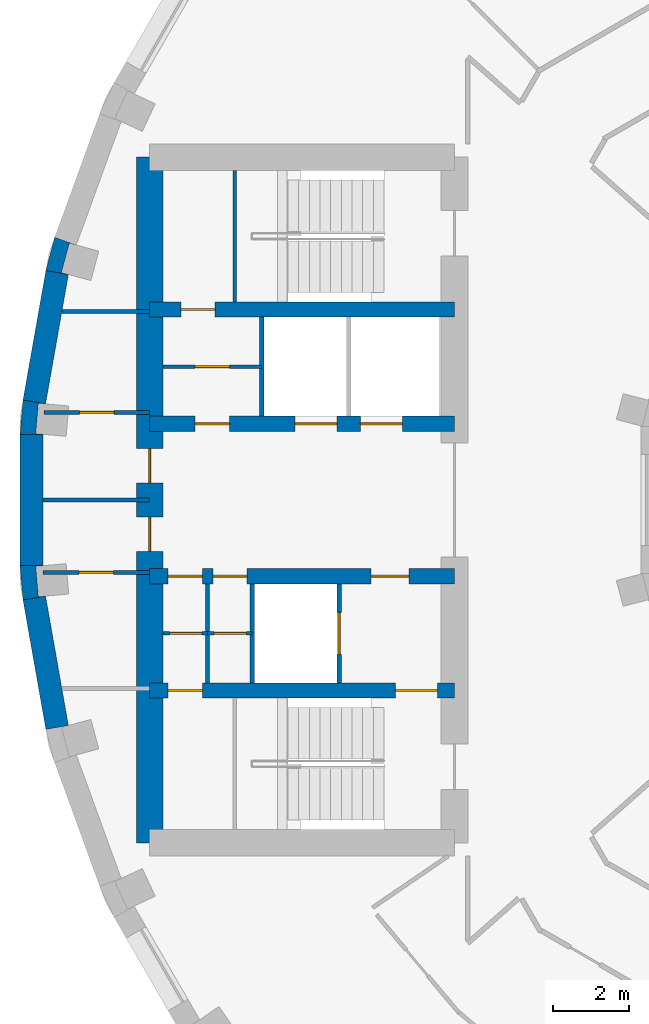
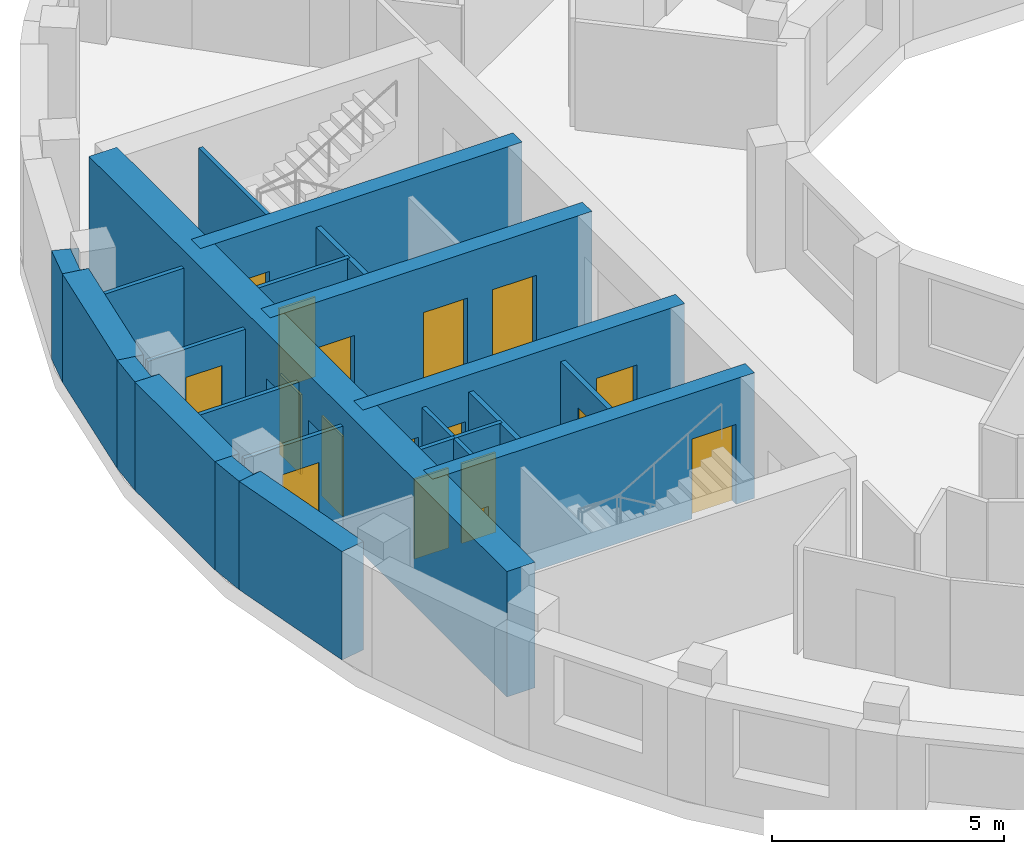
# One storey, part 7 of 15: 23 walls, 17 doors, 17 openings.
"""IFC4 building model written with IfcOpenShell, lengths in metres."""

from ifc_helpers import new_model, si_unit, direction, frame, frame_2d, origin, place, context, subcontext, project, spatial, polyline, rectangle, outline, extrude, material, layer, layer_set, type_object, element, fill, save


model = new_model("IFC4")

# Units and contexts
model_context = context("Model", 3, precision=1e-05, world=origin(), true_north=direction((0.0, 1.0)))
body_context = subcontext(model_context, "Body", "Model", "MODEL_VIEW")
ifc_project = project(units=[si_unit("LENGTHUNIT", "METRE"), si_unit("AREAUNIT", "SQUARE_METRE"), si_unit("VOLUMEUNIT", "CUBIC_METRE"), si_unit("PLANEANGLEUNIT", "RADIAN"), si_unit("MASSUNIT", "GRAM", prefix="KILO")], contexts=[model_context])

# Site, building, storey
site_placement = place(None, origin())
site = spatial("IfcSite", under=ifc_project, at=site_placement, CompositionType="ELEMENT")
building_placement = place(site_placement, origin())
building = spatial("IfcBuilding", under=site, at=building_placement, Name="Saqina Gate Tower", CompositionType="ELEMENT")
storey_placement = place(building_placement, frame((0.0, 0.0, 164.10009765625)))
storey = spatial("IfcBuildingStorey", under=building, at=storey_placement, Name="L46", CompositionType="ELEMENT", Elevation=164.10009765625)

# Walls
ifc_material_1 = material(Name="Brick masonry (buff)", Category="masonry")
wall_type_1 = type_object("IfcWallType", Name="BRICK PIER COPING BUFF", PredefinedType="SOLIDWALL", material=ifc_material_1)
wall_1_placement = place(storey_placement, origin())
element("IfcWall", 1, at=wall_1_placement, inside=storey, type_object=wall_type_1, Name="Pier cap L46 column 17", PredefinedType="SOLIDWALL", context=body_context, shape_type="SweptSolid", body=[
    extrude(outline(polyline([(-24.22705078125, 6.0234375), (-23.635986328125, 5.919189453125), (-23.81689453125, 5.967529296875), (-23.610107421875, 6.740478515625), (-23.428955078125, 6.69189453125), (-23.992919921875, 6.897216796875), (-24.22705078125, 6.0234375)])), origin(), (0.0, 0.0, 1.0), 2.849853515625),
])
wall_2_placement = place(storey_placement, origin())
element("IfcWall", 2, at=wall_2_placement, inside=storey, type_object=wall_type_1, Name="Pier cap L46 column 18", PredefinedType="SOLIDWALL", context=body_context, shape_type="SweptSolid", body=[
    extrude(outline(polyline([(-24.825927734375, 2.6259765625), (-24.90478515625, 1.724853515625), (-24.304931640625, 1.724853515625), (-24.491455078125, 1.7412109375), (-24.421630859375, 2.5380859375), (-24.235107421875, 2.521728515625), (-24.825927734375, 2.6259765625)])), origin(), (0.0, 0.0, 1.0), 2.849853515625),
])
wall_3_placement = place(storey_placement, origin())
element("IfcWall", 3, at=wall_3_placement, inside=storey, type_object=wall_type_1, Name="Pier cap L46 column 19", PredefinedType="SOLIDWALL", context=body_context, shape_type="SweptSolid", body=[
    extrude(outline(polyline([(-24.90478515625, -1.724853515625), (-24.825927734375, -2.6259765625), (-24.235107421875, -2.521728515625), (-24.421630859375, -2.5380859375), (-24.491455078125, -1.7412109375), (-24.304931640625, -1.724853515625), (-24.90478515625, -1.724853515625)])), origin(), (0.0, 0.0, 1.0), 2.849853515625),
])
ifc_material_2 = material(Name="Gypsum board on steel studs", Category="steel")
ifc_layer_1 = layer(ifc_material_2, 0.10009765625)
ifc_layer_set_1 = layer_set([ifc_layer_1], Name="CORE PARTITION")
wall_type_2 = type_object("IfcWallType", Name="CORE PARTITION", PredefinedType="PARTITIONING", material=ifc_layer_set_1)
wall_4_placement = place(storey_placement, frame((-21.5, 4.949951171875, 0.0), z_axis=(0.0, 0.0, 1.0), x_axis=(-1.0, 0.0, 0.0)))
element("IfcWall", 4, at=wall_4_placement, inside=storey, type_object=wall_type_2, Name="L46-CP-W01", PredefinedType="PARTITIONING", context=body_context, shape_type="SweptSolid", body=[
    extrude(rectangle(XDim=2.306884765625, YDim=0.10009765625, at=frame_2d((1.1533203125, 0.0))), origin(), (0.0, 0.0, 1.0), 2.849853515625),
])

# Wall, opening, door
wall_5_placement = place(storey_placement, frame((-21.5, 2.300048828125, 0.0), z_axis=(0.0, 0.0, 1.0), x_axis=(-1.0, 0.0, 0.0)))
wall_5 = element("IfcWall", 5, at=wall_5_placement, inside=storey, type_object=wall_type_2, Name="L46-CP-W02", PredefinedType="PARTITIONING", context=body_context, shape_type="SweptSolid", body=[
    extrude(rectangle(XDim=2.774169921875, YDim=0.10009765625, at=frame_2d((1.38720703125, 0.0))), origin(), (0.0, 0.0, 1.0), 2.849853515625),
])
opening_1_placement = place(wall_5_placement, frame((0.93701171875, 0.0, 0.0)))
opening_1 = element("IfcOpeningElement", 6, at=opening_1_placement, cuts=wall_5, Name="Opening G13-D112", PredefinedType="OPENING", context=body_context, shape_type="SweptSolid", body=[
    extrude(rectangle(XDim=0.89990234375, YDim=2.10009765625, at=frame_2d((0.449951171875, 1.050048828125))), frame((0.0, 0.06201171875, 0.0), z_axis=(0.0, -1.0, 0.0), x_axis=(1.0, 0.0, 0.0)), (0.0, 0.0, 1.0), 0.1240234375),
])
ifc_material_3 = material(Name="Steel-framed fire door leaf, EI 60", Category="steel")
door_type_1 = type_object("IfcDoorType", Name="SERVICE ROOM DOOR 900", OperationType="SINGLE_SWING_LEFT", PredefinedType="DOOR", material=ifc_material_3)
door_1_placement = place(opening_1_placement, frame((0.89990234375, 0.0, 0.0), z_axis=(0.0, 0.0, 1.0), x_axis=(-1.0, 0.0, 0.0)))
door_1 = element("IfcDoor", 7, at=door_1_placement, inside=storey, type_object=door_type_1, Name="L46-CD-W22", OperationType="SINGLE_SWING_RIGHT", OverallHeight=2.10009765625, OverallWidth=0.89990234375, PredefinedType="DOOR", context=body_context, shape_type="SweptSolid", body=[
    extrude(rectangle(XDim=0.89990234375, YDim=2.10009765625, at=frame_2d((0.449951171875, 1.050048828125))), frame((0.0, 0.02490234375, 0.0), z_axis=(0.0, -1.0, 0.0), x_axis=(1.0, 0.0, 0.0)), (0.0, 0.0, 1.0), 0.050048828125),
])
fill(opening_1, door_1)

wall_6_placement = place(storey_placement, frame((-21.5, -1.89990234375, 0.0), z_axis=(0.0, 0.0, 1.0), x_axis=(-1.0, 0.0, 0.0)))
wall_6 = element("IfcWall", 8, at=wall_6_placement, inside=storey, type_object=wall_type_2, Name="L46-CP-W04", PredefinedType="PARTITIONING", context=body_context, shape_type="SweptSolid", body=[
    extrude(rectangle(XDim=2.804931640625, YDim=0.10009765625, at=frame_2d((1.40234375, 0.0))), origin(), (0.0, 0.0, 1.0), 2.849853515625),
])
opening_2_placement = place(wall_6_placement, frame((0.952392578125, 0.0, 0.0)))
opening_2 = element("IfcOpeningElement", 9, at=opening_2_placement, cuts=wall_6, Name="Opening G13-D114", PredefinedType="OPENING", context=body_context, shape_type="SweptSolid", body=[
    extrude(rectangle(XDim=0.89990234375, YDim=2.10009765625, at=frame_2d((0.449951171875, 1.050048828125))), frame((0.0, 0.06201171875, 0.0), z_axis=(0.0, -1.0, 0.0), x_axis=(1.0, 0.0, 0.0)), (0.0, 0.0, 1.0), 0.1240234375),
])
door_2_placement = place(opening_2_placement, origin())
door_2 = element("IfcDoor", 10, at=door_2_placement, inside=storey, type_object=door_type_1, Name="L46-CD-W24", OperationType="SINGLE_SWING_LEFT", OverallHeight=2.10009765625, OverallWidth=0.89990234375, PredefinedType="DOOR", context=body_context, shape_type="SweptSolid", body=[
    extrude(rectangle(XDim=0.89990234375, YDim=2.10009765625, at=frame_2d((0.449951171875, 1.050048828125))), frame((0.0, 0.02490234375, 0.0), z_axis=(0.0, -1.0, 0.0), x_axis=(1.0, 0.0, 0.0)), (0.0, 0.0, 1.0), 0.050048828125),
])
fill(opening_2, door_2)

# Walls
wall_7_placement = place(storey_placement, frame((-21.5, 0.0, 0.0), z_axis=(0.0, 0.0, 1.0), x_axis=(-1.0, 0.0, 0.0)))
element("IfcWall", 11, at=wall_7_placement, inside=storey, type_object=wall_type_2, Name="L46-CP-W05", PredefinedType="PARTITIONING", context=body_context, shape_type="SweptSolid", body=[
    extrude(rectangle(XDim=2.804931640625, YDim=0.10009765625, at=frame_2d((1.40234375, 0.0))), origin(), (0.0, 0.0, 1.0), 2.849853515625),
])
wall_8_placement = place(storey_placement, frame((-19.97998046875, -4.800048828125, 0.0), z_axis=(0.0, 0.0, 1.0), x_axis=(0.0, 1.0, 0.0)))
element("IfcWall", 12, at=wall_8_placement, inside=storey, type_object=wall_type_2, Name="L46-CP-W10", PredefinedType="PARTITIONING", context=body_context, shape_type="SweptSolid", body=[
    extrude(rectangle(XDim=2.60009765625, YDim=0.10009765625, at=frame_2d((1.300048828125, 0.0))), origin(), (0.0, 0.0, 1.0), 2.849853515625),
])

# Wall, opening, door
wall_9_placement = place(storey_placement, frame((-18.56005859375, 3.5, 0.0), z_axis=(0.0, 0.0, 1.0), x_axis=(-1.0, 0.0, 0.0)))
wall_9 = element("IfcWall", 13, at=wall_9_placement, inside=storey, type_object=wall_type_2, Name="L46-CP-W11", PredefinedType="PARTITIONING", context=body_context, shape_type="SweptSolid", body=[
    extrude(rectangle(XDim=2.58984375, YDim=0.10009765625, at=frame_2d((1.294921875, 0.0))), origin(), (0.0, 0.0, 1.0), 2.849853515625),
])
opening_3_placement = place(wall_9_placement, frame((0.844970703125, 0.0, 0.0)))
opening_3 = element("IfcOpeningElement", 14, at=opening_3_placement, cuts=wall_9, Name="Opening G13-D129", PredefinedType="OPENING", context=body_context, shape_type="SweptSolid", body=[
    extrude(rectangle(XDim=0.89990234375, YDim=2.10009765625, at=frame_2d((0.449951171875, 1.050048828125))), frame((0.0, 0.06201171875, 0.0), z_axis=(0.0, -1.0, 0.0), x_axis=(1.0, 0.0, 0.0)), (0.0, 0.0, 1.0), 0.1240234375),
])
door_3_placement = place(opening_3_placement, frame((0.89990234375, 0.0, 0.0), z_axis=(0.0, 0.0, 1.0), x_axis=(-1.0, 0.0, 0.0)))
door_3 = element("IfcDoor", 15, at=door_3_placement, inside=storey, type_object=door_type_1, Name="L46-CD-W26", OperationType="SINGLE_SWING_LEFT", OverallHeight=2.10009765625, OverallWidth=0.89990234375, PredefinedType="DOOR", context=body_context, shape_type="SweptSolid", body=[
    extrude(rectangle(XDim=0.89990234375, YDim=2.10009765625, at=frame_2d((0.449951171875, 1.050048828125))), frame((0.0, 0.02490234375, 0.0), z_axis=(0.0, -1.0, 0.0), x_axis=(1.0, 0.0, 0.0)), (0.0, 0.0, 1.0), 0.050048828125),
])
fill(opening_3, door_3)

wall_10_placement = place(storey_placement, frame((-18.81005859375, -3.5, 0.0), z_axis=(0.0, 0.0, 1.0), x_axis=(-1.0, 0.0, 0.0)))
wall_10 = element("IfcWall", 16, at=wall_10_placement, inside=storey, type_object=wall_type_2, Name="L46-CP-W12", PredefinedType="PARTITIONING", context=body_context, shape_type="SweptSolid", body=[
    extrude(rectangle(XDim=1.169921875, YDim=0.10009765625, at=frame_2d((0.5849609375, 0.0))), origin(), (0.0, 0.0, 1.0), 2.849853515625),
])
opening_4_placement = place(wall_10_placement, frame((0.14990234375, 0.0, 0.0)))
opening_4 = element("IfcOpeningElement", 17, at=opening_4_placement, cuts=wall_10, Name="Opening G13-D118", PredefinedType="OPENING", context=body_context, shape_type="SweptSolid", body=[
    extrude(rectangle(XDim=0.85009765625, YDim=2.10009765625, at=frame_2d((0.425048828125, 1.050048828125))), frame((0.0, 0.06201171875, 0.0), z_axis=(0.0, -1.0, 0.0), x_axis=(1.0, 0.0, 0.0)), (0.0, 0.0, 1.0), 0.1240234375),
])
ifc_material_4 = material(Name="Steel-framed fire door leaf, EI 60", Category="steel")
door_type_2 = type_object("IfcDoorType", Name="SERVICE ROOM DOOR 850", OperationType="SINGLE_SWING_LEFT", PredefinedType="DOOR", material=ifc_material_4)
door_4_placement = place(opening_4_placement, origin())
door_4 = element("IfcDoor", 18, at=door_4_placement, inside=storey, type_object=door_type_2, Name="L46-CD-W28", OperationType="SINGLE_SWING_LEFT", OverallHeight=2.10009765625, OverallWidth=0.85009765625, PredefinedType="DOOR", context=body_context, shape_type="SweptSolid", body=[
    extrude(rectangle(XDim=0.85009765625, YDim=2.10009765625, at=frame_2d((0.425048828125, 1.050048828125))), frame((0.0, 0.02490234375, 0.0), z_axis=(0.0, -1.0, 0.0), x_axis=(1.0, 0.0, 0.0)), (0.0, 0.0, 1.0), 0.050048828125),
])
fill(opening_4, door_4)

wall_11_placement = place(storey_placement, frame((-19.97998046875, -3.5, 0.0), z_axis=(0.0, 0.0, 1.0), x_axis=(-1.0, 0.0, 0.0)))
wall_11 = element("IfcWall", 19, at=wall_11_placement, inside=storey, type_object=wall_type_2, Name="L46-CP-W13", PredefinedType="PARTITIONING", context=body_context, shape_type="SweptSolid", body=[
    extrude(rectangle(XDim=1.169921875, YDim=0.10009765625, at=frame_2d((0.5849609375, 0.0))), origin(), (0.0, 0.0, 1.0), 2.849853515625),
])
opening_5_placement = place(wall_11_placement, frame((0.14990234375, 0.0, 0.0)))
opening_5 = element("IfcOpeningElement", 20, at=opening_5_placement, cuts=wall_11, Name="Opening G13-D119", PredefinedType="OPENING", context=body_context, shape_type="SweptSolid", body=[
    extrude(rectangle(XDim=0.85009765625, YDim=2.10009765625, at=frame_2d((0.425048828125, 1.050048828125))), frame((0.0, 0.06201171875, 0.0), z_axis=(0.0, -1.0, 0.0), x_axis=(1.0, 0.0, 0.0)), (0.0, 0.0, 1.0), 0.1240234375),
])
door_5_placement = place(opening_5_placement, origin())
door_5 = element("IfcDoor", 21, at=door_5_placement, inside=storey, type_object=door_type_2, Name="L46-CD-W29", OperationType="SINGLE_SWING_RIGHT", OverallHeight=2.10009765625, OverallWidth=0.85009765625, PredefinedType="DOOR", context=body_context, shape_type="SweptSolid", body=[
    extrude(rectangle(XDim=0.85009765625, YDim=2.10009765625, at=frame_2d((0.425048828125, 1.050048828125))), frame((0.0, 0.02490234375, 0.0), z_axis=(0.0, -1.0, 0.0), x_axis=(1.0, 0.0, 0.0)), (0.0, 0.0, 1.0), 0.050048828125),
])
fill(opening_5, door_5)

# Walls
ifc_material_5 = material(Name="Glazed ceramic tile", Category="ceramic")
ifc_layer_2 = layer(ifc_material_5, 0.60009765625)
ifc_layer_set_2 = layer_set([ifc_layer_2], Name="FW-TILE")
wall_type_3 = type_object("IfcWallType", Name="FW-TILE", PredefinedType="SOLIDWALL", material=ifc_layer_set_2)
for number, where, z_axis, x_axis, name in (
    (22, (-23.931640625, 5.97119140625, 0.0), (0.0, 0.0, 1.0), (-0.173607684551, -0.984814892183, 0.0), "Facade wall L46 facet 17"),
    (23, (-24.530517578125, -2.573974609375, 0.0), (0.0, 0.0, 1.0), (0.173607684551, -0.984814892183, 0.0), "Facade wall L46 facet 19"),
):
    element("IfcWall", number, at=place(storey_placement, frame(where, z_axis=z_axis, x_axis=x_axis)), inside=storey, type_object=wall_type_3, Name=name, PredefinedType="SOLIDWALL", context=body_context, shape_type="SweptSolid", body=[
        extrude(rectangle(XDim=3.44970703125, YDim=0.60009765625, at=frame_2d((1.724853515625, 0.0))), origin(), (0.0, 0.0, 1.0), 2.849853515625),
    ])
ifc_material_6 = material(Name="Glazed ceramic tile (white)", Category="ceramic")
ifc_layer_3 = layer(ifc_material_6, 0.60009765625)
ifc_layer_set_3 = layer_set([ifc_layer_3], Name="FW-TILE-WH")
wall_type_4 = type_object("IfcWallType", Name="FW-TILE-WH", PredefinedType="SOLIDWALL", material=ifc_layer_set_3)
wall_12_placement = place(storey_placement, frame((-24.60498046875, 1.724853515625, 0.0), z_axis=(0.0, 0.0, 1.0), x_axis=(0.0, -1.0, 0.0)))
element("IfcWall", 24, at=wall_12_placement, inside=storey, type_object=wall_type_4, Name="Facade wall L46 facet 18", PredefinedType="SOLIDWALL", context=body_context, shape_type="SweptSolid", body=[
    extrude(rectangle(XDim=3.44970703125, YDim=0.60009765625, at=frame_2d((1.724853515625, 0.0))), origin(), (0.0, 0.0, 1.0), 2.849853515625),
])
ifc_material_7 = material(Name="Autoclaved aerated concrete block", Category="concrete")
ifc_layer_4 = layer(ifc_material_7, 0.1201171875)
ifc_layer_set_4 = layer_set([ifc_layer_4], Name="SHAFT PARTITION")
wall_type_5 = type_object("IfcWallType", Name="SHAFT PARTITION", PredefinedType="PARTITIONING", material=ifc_layer_set_4)
wall_13_placement = place(storey_placement, frame((-18.56005859375, 2.199951171875, 0.0), z_axis=(0.0, 0.0, 1.0), x_axis=(0.0, 1.0, 0.0)))
element("IfcWall", 25, at=wall_13_placement, inside=storey, type_object=wall_type_5, Name="L46-CP-W07", PredefinedType="PARTITIONING", context=body_context, shape_type="SweptSolid", body=[
    extrude(rectangle(XDim=2.60009765625, YDim=0.1201171875, at=frame_2d((1.300048828125, 0.0))), origin(), (0.0, 0.0, 1.0), 2.849853515625),
])

# Wall, opening, door
wall_14_placement = place(storey_placement, frame((-16.530029296875, -4.800048828125, 0.0), z_axis=(0.0, 0.0, 1.0), x_axis=(0.0, 1.0, 0.0)))
wall_14 = element("IfcWall", 26, at=wall_14_placement, inside=storey, type_object=wall_type_5, Name="L46-CP-W08", PredefinedType="PARTITIONING", context=body_context, shape_type="SweptSolid", body=[
    extrude(rectangle(XDim=2.60009765625, YDim=0.1201171875, at=frame_2d((1.300048828125, 0.0))), origin(), (0.0, 0.0, 1.0), 2.849853515625),
])
opening_6_placement = place(wall_14_placement, frame((0.75, 0.0, 0.0)))
opening_6 = element("IfcOpeningElement", 27, at=opening_6_placement, cuts=wall_14, Name="Opening G13-LD6", PredefinedType="OPENING", context=body_context, shape_type="SweptSolid", body=[
    extrude(rectangle(XDim=1.10009765625, YDim=2.10009765625, at=frame_2d((0.550048828125, 1.050048828125))), frame((0.0, 0.072021484375, 0.0), z_axis=(0.0, -1.0, 0.0), x_axis=(1.0, 0.0, 0.0)), (0.0, 0.0, 1.0), 0.14404296875),
])
ifc_material_8 = material(Name="Stainless steel", Category="steel")
door_type_3 = type_object("IfcDoorType", Name="LANDING DOOR", OperationType="DOUBLE_DOOR_SLIDING", PredefinedType="DOOR", material=ifc_material_8)
door_6_placement = place(opening_6_placement, origin())
door_6 = element("IfcDoor", 28, at=door_6_placement, inside=storey, type_object=door_type_3, Name="LANDING DOOR FF2", OperationType="DOUBLE_DOOR_SLIDING", OverallHeight=2.10009765625, OverallWidth=1.10009765625, PredefinedType="DOOR", context=body_context, shape_type="SweptSolid", body=[
    extrude(rectangle(XDim=1.10009765625, YDim=2.10009765625, at=frame_2d((0.550048828125, 1.050048828125))), frame((0.0, 0.02490234375, 0.0), z_axis=(0.0, -1.0, 0.0), x_axis=(1.0, 0.0, 0.0)), (0.0, 0.0, 1.0), 0.050048828125),
])
fill(opening_6, door_6)

# Walls
wall_15_placement = place(storey_placement, frame((-18.81005859375, -4.800048828125, 0.0), z_axis=(0.0, 0.0, 1.0), x_axis=(0.0, 1.0, 0.0)))
element("IfcWall", 29, at=wall_15_placement, inside=storey, type_object=wall_type_5, Name="L46-CP-W09", PredefinedType="PARTITIONING", context=body_context, shape_type="SweptSolid", body=[
    extrude(rectangle(XDim=2.60009765625, YDim=0.1201171875, at=frame_2d((1.300048828125, 0.0))), origin(), (0.0, 0.0, 1.0), 2.849853515625),
])
ifc_material_9 = material(Name="Autoclaved aerated concrete block", Category="concrete")
ifc_layer_5 = layer(ifc_material_9, 0.10009765625)
ifc_layer_set_5 = layer_set([ifc_layer_5], Name="STAIR ENCLOSURE WALL")
wall_type_6 = type_object("IfcWallType", Name="STAIR ENCLOSURE WALL", PredefinedType="PARTITIONING", material=ifc_layer_set_5)
wall_16_placement = place(storey_placement, frame((-19.27001953125, 5.199951171875, 0.0), z_axis=(0.0, 0.0, 1.0), x_axis=(0.0, 1.0, 0.0)))
element("IfcWall", 30, at=wall_16_placement, inside=storey, type_object=wall_type_6, Name="L46-CP-W14", PredefinedType="PARTITIONING", context=body_context, shape_type="SweptSolid", body=[
    extrude(rectangle(XDim=3.449951171875, YDim=0.10009765625, at=frame_2d((1.72509765625, 0.0))), origin(), (0.0, 0.0, 1.0), 2.849853515625),
])

# Wall, opening, door
ifc_material_10 = material(Name="Concrete C60/75", Category="concrete")
ifc_layer_6 = layer(ifc_material_10, 0.39990234375)
ifc_layer_set_6 = layer_set([ifc_layer_6], Name="Concrete C60/75")
wall_type_7 = type_object("IfcWallType", Name="STR-CORE WALL-C-I", PredefinedType="SHEAR", material=ifc_layer_set_6)
wall_17_placement = place(storey_placement, frame((-13.5, 5.0, 0.0), z_axis=(0.0, 0.0, 1.0), x_axis=(-1.0, 0.0, 0.0)))
wall_17 = element("IfcWall", 31, at=wall_17_placement, inside=storey, type_object=wall_type_7, Name="CORE WALL L46 W-X1", PredefinedType="SHEAR", context=body_context, shape_type="SweptSolid", body=[
    extrude(rectangle(XDim=8.0, YDim=0.39990234375, at=frame_2d((4.0, 0.0))), origin(), (0.0, 0.0, 1.0), 3.2998046875),
])
opening_7_placement = place(wall_17_placement, frame((6.284912109375, 0.0, 0.0)))
opening_7 = element("IfcOpeningElement", 32, at=opening_7_placement, cuts=wall_17, Name="Opening G13-D130", PredefinedType="OPENING", context=body_context, shape_type="SweptSolid", body=[
    extrude(rectangle(XDim=0.89990234375, YDim=2.10009765625, at=frame_2d((0.449951171875, 1.050048828125))), frame((0.0, 0.2119140625, 0.0), z_axis=(0.0, -1.0, 0.0), x_axis=(1.0, 0.0, 0.0)), (0.0, 0.0, 1.0), 0.423828125),
])
door_7_placement = place(opening_7_placement, frame((0.89990234375, 0.0, 0.0), z_axis=(0.0, 0.0, 1.0), x_axis=(-1.0, 0.0, 0.0)))
door_7 = element("IfcDoor", 33, at=door_7_placement, inside=storey, type_object=door_type_1, Name="L46-CD-W27", OperationType="SINGLE_SWING_LEFT", OverallHeight=2.10009765625, OverallWidth=0.89990234375, PredefinedType="DOOR", context=body_context, shape_type="SweptSolid", body=[
    extrude(rectangle(XDim=0.89990234375, YDim=2.10009765625, at=frame_2d((0.449951171875, 1.050048828125))), frame((0.0, 0.02490234375, 0.0), z_axis=(0.0, -1.0, 0.0), x_axis=(1.0, 0.0, 0.0)), (0.0, 0.0, 1.0), 0.050048828125),
])
fill(opening_7, door_7)

# Wall, openings, doors
wall_18_placement = place(storey_placement, frame((-13.5, -5.0, 0.0), z_axis=(0.0, 0.0, 1.0), x_axis=(-1.0, 0.0, 0.0)))
wall_18 = element("IfcWall", 34, at=wall_18_placement, inside=storey, type_object=wall_type_7, Name="CORE WALL L46 W-X2", PredefinedType="SHEAR", context=body_context, shape_type="SweptSolid", body=[
    extrude(rectangle(XDim=8.0, YDim=0.39990234375, at=frame_2d((4.0, 0.0))), origin(), (0.0, 0.0, 1.0), 3.2998046875),
])
opening_8_placement = place(wall_18_placement, frame((6.614990234375, 0.0, 0.0)))
opening_8 = element("IfcOpeningElement", 35, at=opening_8_placement, cuts=wall_18, Name="Opening G13-D131", PredefinedType="OPENING", context=body_context, shape_type="SweptSolid", body=[
    extrude(rectangle(XDim=0.89990234375, YDim=2.10009765625, at=frame_2d((0.449951171875, 1.050048828125))), frame((0.0, 0.2119140625, 0.0), z_axis=(0.0, -1.0, 0.0), x_axis=(1.0, 0.0, 0.0)), (0.0, 0.0, 1.0), 0.423828125),
])
opening_9_placement = place(wall_18_placement, frame((0.449951171875, 0.0, 0.0)))
opening_9 = element("IfcOpeningElement", 36, at=opening_9_placement, cuts=wall_18, Name="Opening G13-D120", PredefinedType="OPENING", context=body_context, shape_type="SweptSolid", body=[
    extrude(rectangle(XDim=1.10009765625, YDim=2.10009765625, at=frame_2d((0.550048828125, 1.050048828125))), frame((0.0, 0.2119140625, 0.0), z_axis=(0.0, -1.0, 0.0), x_axis=(1.0, 0.0, 0.0)), (0.0, 0.0, 1.0), 0.423828125),
])
ifc_material_11 = material(Name="Steel", Category="steel")
door_type_4 = type_object("IfcDoorType", Name="FIRE LOBBY DOOR EI 60 WIDE", OperationType="SINGLE_SWING_LEFT", PredefinedType="DOOR", material=ifc_material_11)
door_8_placement = place(opening_9_placement, origin())
door_8 = element("IfcDoor", 37, at=door_8_placement, inside=storey, type_object=door_type_4, Name="L46-CD-W31", OperationType="SINGLE_SWING_LEFT", OverallHeight=2.10009765625, OverallWidth=1.10009765625, PredefinedType="DOOR", context=body_context, shape_type="SweptSolid", body=[
    extrude(rectangle(XDim=1.10009765625, YDim=2.10009765625, at=frame_2d((0.550048828125, 1.050048828125))), frame((0.0, 0.02490234375, 0.0), z_axis=(0.0, -1.0, 0.0), x_axis=(1.0, 0.0, 0.0)), (0.0, 0.0, 1.0), 0.050048828125),
])
fill(opening_9, door_8)
door_9_placement = place(opening_8_placement, origin())
door_9 = element("IfcDoor", 38, at=door_9_placement, inside=storey, type_object=door_type_1, Name="L46-CD-W30", OperationType="SINGLE_SWING_RIGHT", OverallHeight=2.10009765625, OverallWidth=0.89990234375, PredefinedType="DOOR", context=body_context, shape_type="SweptSolid", body=[
    extrude(rectangle(XDim=0.89990234375, YDim=2.10009765625, at=frame_2d((0.449951171875, 1.050048828125))), frame((0.0, 0.02490234375, 0.0), z_axis=(0.0, -1.0, 0.0), x_axis=(1.0, 0.0, 0.0)), (0.0, 0.0, 1.0), 0.050048828125),
])
fill(opening_8, door_9)

wall_19_placement = place(storey_placement, frame((-13.5, 2.0, 0.0), z_axis=(0.0, 0.0, 1.0), x_axis=(-1.0, 0.0, 0.0)))
wall_19 = element("IfcWall", 39, at=wall_19_placement, inside=storey, type_object=wall_type_7, Name="CORE WALL L46 W-L1", PredefinedType="SHEAR", context=body_context, shape_type="SweptSolid", body=[
    extrude(rectangle(XDim=8.0, YDim=0.39990234375, at=frame_2d((4.0, 0.0))), origin(), (0.0, 0.0, 1.0), 3.2998046875),
])
opening_10_placement = place(wall_19_placement, frame((1.3701171875, 0.0, 0.0)))
opening_10 = element("IfcOpeningElement", 40, at=opening_10_placement, cuts=wall_19, Name="Opening G13-LD4", PredefinedType="OPENING", context=body_context, shape_type="SweptSolid", body=[
    extrude(rectangle(XDim=1.10009765625, YDim=2.10009765625, at=frame_2d((0.550048828125, 1.050048828125))), frame((0.0, 0.2119140625, 0.0), z_axis=(0.0, -1.0, 0.0), x_axis=(1.0, 0.0, 0.0)), (0.0, 0.0, 1.0), 0.423828125),
])
opening_11_placement = place(wall_19_placement, frame((3.090087890625, 0.0, 0.0)))
opening_11 = element("IfcOpeningElement", 41, at=opening_11_placement, cuts=wall_19, Name="Opening G13-LD5", PredefinedType="OPENING", context=body_context, shape_type="SweptSolid", body=[
    extrude(rectangle(XDim=1.10009765625, YDim=2.10009765625, at=frame_2d((0.550048828125, 1.050048828125))), frame((0.0, 0.2119140625, 0.0), z_axis=(0.0, -1.0, 0.0), x_axis=(1.0, 0.0, 0.0)), (0.0, 0.0, 1.0), 0.423828125),
])
opening_12_placement = place(wall_19_placement, frame((5.905029296875, 0.0, 0.0)))
opening_12 = element("IfcOpeningElement", 42, at=opening_12_placement, cuts=wall_19, Name="Opening G13-D128", PredefinedType="OPENING", context=body_context, shape_type="SweptSolid", body=[
    extrude(rectangle(XDim=0.89990234375, YDim=2.10009765625, at=frame_2d((0.449951171875, 1.050048828125))), frame((0.0, 0.2119140625, 0.0), z_axis=(0.0, -1.0, 0.0), x_axis=(1.0, 0.0, 0.0)), (0.0, 0.0, 1.0), 0.423828125),
])
door_10_placement = place(opening_10_placement, origin())
door_10 = element("IfcDoor", 43, at=door_10_placement, inside=storey, type_object=door_type_3, Name="LANDING DOOR HR3", OperationType="DOUBLE_DOOR_SLIDING", OverallHeight=2.10009765625, OverallWidth=1.10009765625, PredefinedType="DOOR", context=body_context, shape_type="SweptSolid", body=[
    extrude(rectangle(XDim=1.10009765625, YDim=2.10009765625, at=frame_2d((0.550048828125, 1.050048828125))), frame((0.0, 0.02490234375, 0.0), z_axis=(0.0, -1.0, 0.0), x_axis=(1.0, 0.0, 0.0)), (0.0, 0.0, 1.0), 0.050048828125),
])
fill(opening_10, door_10)
door_11_placement = place(opening_11_placement, origin())
door_11 = element("IfcDoor", 44, at=door_11_placement, inside=storey, type_object=door_type_3, Name="LANDING DOOR HR4", OperationType="DOUBLE_DOOR_SLIDING", OverallHeight=2.10009765625, OverallWidth=1.10009765625, PredefinedType="DOOR", context=body_context, shape_type="SweptSolid", body=[
    extrude(rectangle(XDim=1.10009765625, YDim=2.10009765625, at=frame_2d((0.550048828125, 1.050048828125))), frame((0.0, 0.02490234375, 0.0), z_axis=(0.0, -1.0, 0.0), x_axis=(1.0, 0.0, 0.0)), (0.0, 0.0, 1.0), 0.050048828125),
])
fill(opening_11, door_11)
door_12_placement = place(opening_12_placement, frame((0.89990234375, 0.0, 0.0), z_axis=(0.0, 0.0, 1.0), x_axis=(-1.0, 0.0, 0.0)))
door_12 = element("IfcDoor", 45, at=door_12_placement, inside=storey, type_object=door_type_1, Name="L46-CD-W18", OperationType="SINGLE_SWING_LEFT", OverallHeight=2.10009765625, OverallWidth=0.89990234375, PredefinedType="DOOR", context=body_context, shape_type="SweptSolid", body=[
    extrude(rectangle(XDim=0.89990234375, YDim=2.10009765625, at=frame_2d((0.449951171875, 1.050048828125))), frame((0.0, 0.02490234375, 0.0), z_axis=(0.0, -1.0, 0.0), x_axis=(1.0, 0.0, 0.0)), (0.0, 0.0, 1.0), 0.050048828125),
])
fill(opening_12, door_12)

wall_20_placement = place(storey_placement, frame((-13.5, -2.0, 0.0), z_axis=(0.0, 0.0, 1.0), x_axis=(-1.0, 0.0, 0.0)))
wall_20 = element("IfcWall", 46, at=wall_20_placement, inside=storey, type_object=wall_type_7, Name="CORE WALL L46 W-L2", PredefinedType="SHEAR", context=body_context, shape_type="SweptSolid", body=[
    extrude(rectangle(XDim=8.0, YDim=0.39990234375, at=frame_2d((4.0, 0.0))), origin(), (0.0, 0.0, 1.0), 3.2998046875),
])
opening_13_placement = place(wall_20_placement, frame((1.18994140625, 0.0, 0.0)))
opening_13 = element("IfcOpeningElement", 47, at=opening_13_placement, cuts=wall_20, Name="Opening G13-D109", PredefinedType="OPENING", context=body_context, shape_type="SweptSolid", body=[
    extrude(rectangle(XDim=1.0, YDim=2.10009765625, at=frame_2d((0.5, 1.050048828125))), frame((0.0, 0.2119140625, 0.0), z_axis=(0.0, -1.0, 0.0), x_axis=(1.0, 0.0, 0.0)), (0.0, 0.0, 1.0), 0.423828125),
])
opening_14_placement = place(wall_20_placement, frame((5.445068359375, 0.0, 0.0)))
opening_14 = element("IfcOpeningElement", 48, at=opening_14_placement, cuts=wall_20, Name="Opening G13-D110", PredefinedType="OPENING", context=body_context, shape_type="SweptSolid", body=[
    extrude(rectangle(XDim=0.89990234375, YDim=2.10009765625, at=frame_2d((0.449951171875, 1.050048828125))), frame((0.0, 0.2119140625, 0.0), z_axis=(0.0, -1.0, 0.0), x_axis=(1.0, 0.0, 0.0)), (0.0, 0.0, 1.0), 0.423828125),
])
opening_15_placement = place(wall_20_placement, frame((6.614990234375, 0.0, 0.0)))
opening_15 = element("IfcOpeningElement", 49, at=opening_15_placement, cuts=wall_20, Name="Opening G13-D111", PredefinedType="OPENING", context=body_context, shape_type="SweptSolid", body=[
    extrude(rectangle(XDim=0.89990234375, YDim=2.10009765625, at=frame_2d((0.449951171875, 1.050048828125))), frame((0.0, 0.2119140625, 0.0), z_axis=(0.0, -1.0, 0.0), x_axis=(1.0, 0.0, 0.0)), (0.0, 0.0, 1.0), 0.423828125),
])
ifc_material_12 = material(Name="Steel", Category="steel")
door_type_5 = type_object("IfcDoorType", Name="FIRE LOBBY DOOR EI 60", OperationType="SINGLE_SWING_LEFT", PredefinedType="DOOR", material=ifc_material_12)
door_13_placement = place(opening_13_placement, frame((1.0, 0.0, 0.0), z_axis=(0.0, 0.0, 1.0), x_axis=(-1.0, 0.0, 0.0)))
door_13 = element("IfcDoor", 50, at=door_13_placement, inside=storey, type_object=door_type_5, Name="L46-CD-W19", OperationType="SINGLE_SWING_RIGHT", OverallHeight=2.10009765625, OverallWidth=1.0, PredefinedType="DOOR", context=body_context, shape_type="SweptSolid", body=[
    extrude(rectangle(XDim=1.0, YDim=2.10009765625, at=frame_2d((0.5, 1.050048828125))), frame((0.0, 0.02490234375, 0.0), z_axis=(0.0, -1.0, 0.0), x_axis=(1.0, 0.0, 0.0)), (0.0, 0.0, 1.0), 0.050048828125),
])
fill(opening_13, door_13)
door_14_placement = place(opening_14_placement, origin())
door_14 = element("IfcDoor", 51, at=door_14_placement, inside=storey, type_object=door_type_1, Name="L46-CD-W20", OperationType="SINGLE_SWING_LEFT", OverallHeight=2.10009765625, OverallWidth=0.89990234375, PredefinedType="DOOR", context=body_context, shape_type="SweptSolid", body=[
    extrude(rectangle(XDim=0.89990234375, YDim=2.10009765625, at=frame_2d((0.449951171875, 1.050048828125))), frame((0.0, 0.02490234375, 0.0), z_axis=(0.0, -1.0, 0.0), x_axis=(1.0, 0.0, 0.0)), (0.0, 0.0, 1.0), 0.050048828125),
])
fill(opening_14, door_14)
door_15_placement = place(opening_15_placement, origin())
door_15 = element("IfcDoor", 52, at=door_15_placement, inside=storey, type_object=door_type_1, Name="L46-CD-W21", OperationType="SINGLE_SWING_RIGHT", OverallHeight=2.10009765625, OverallWidth=0.89990234375, PredefinedType="DOOR", context=body_context, shape_type="SweptSolid", body=[
    extrude(rectangle(XDim=0.89990234375, YDim=2.10009765625, at=frame_2d((0.449951171875, 1.050048828125))), frame((0.0, 0.02490234375, 0.0), z_axis=(0.0, -1.0, 0.0), x_axis=(1.0, 0.0, 0.0)), (0.0, 0.0, 1.0), 0.050048828125),
])
fill(opening_15, door_15)

ifc_material_13 = material(Name="Concrete C60/75", Category="concrete")
ifc_layer_7 = layer(ifc_material_13, 0.699951171875)
ifc_layer_set_7 = layer_set([ifc_layer_7], Name="Concrete C60/75")
wall_type_8 = type_object("IfcWallType", Name="STR-CORE WALL-C-O", PredefinedType="SHEAR", material=ifc_layer_set_7)
wall_21_placement = place(storey_placement, frame((-21.5, -9.0, 0.0), z_axis=(0.0, 0.0, 1.0), x_axis=(0.0, 1.0, 0.0)))
wall_21 = element("IfcWall", 53, at=wall_21_placement, inside=storey, type_object=wall_type_8, Name="CORE WALL L46 W-W2", PredefinedType="SHEAR", context=body_context, shape_type="SweptSolid", body=[
    extrude(rectangle(XDim=18.0, YDim=0.699951171875, at=frame_2d((9.0, 0.0))), origin(), (0.0, 0.0, 1.0), 3.2998046875),
])
opening_16_placement = place(wall_21_placement, frame((9.449951171875, 0.0, 0.0)))
opening_16 = element("IfcOpeningElement", 54, at=opening_16_placement, cuts=wall_21, Name="Opening G13-D113", PredefinedType="OPENING", context=body_context, shape_type="SweptSolid", body=[
    extrude(rectangle(XDim=0.89990234375, YDim=2.10009765625, at=frame_2d((0.449951171875, 1.050048828125))), frame((0.0, 0.362060546875, 0.0), z_axis=(0.0, -1.0, 0.0), x_axis=(1.0, 0.0, 0.0)), (0.0, 0.0, 1.0), 0.723876953125),
])
opening_17_placement = place(wall_21_placement, frame((7.64990234375, 0.0, 0.0)))
opening_17 = element("IfcOpeningElement", 55, at=opening_17_placement, cuts=wall_21, Name="Opening G13-D115", PredefinedType="OPENING", context=body_context, shape_type="SweptSolid", body=[
    extrude(rectangle(XDim=0.89990234375, YDim=2.10009765625, at=frame_2d((0.449951171875, 1.050048828125))), frame((0.0, 0.362060546875, 0.0), z_axis=(0.0, -1.0, 0.0), x_axis=(1.0, 0.0, 0.0)), (0.0, 0.0, 1.0), 0.723876953125),
])
door_16_placement = place(opening_16_placement, origin())
door_16 = element("IfcDoor", 56, at=door_16_placement, inside=storey, type_object=door_type_1, Name="L46-CD-W23", OperationType="SINGLE_SWING_LEFT", OverallHeight=2.10009765625, OverallWidth=0.89990234375, PredefinedType="DOOR", context=body_context, shape_type="SweptSolid", body=[
    extrude(rectangle(XDim=0.89990234375, YDim=2.10009765625, at=frame_2d((0.449951171875, 1.050048828125))), frame((0.0, 0.02490234375, 0.0), z_axis=(0.0, -1.0, 0.0), x_axis=(1.0, 0.0, 0.0)), (0.0, 0.0, 1.0), 0.050048828125),
])
fill(opening_16, door_16)
door_17_placement = place(opening_17_placement, origin())
door_17 = element("IfcDoor", 57, at=door_17_placement, inside=storey, type_object=door_type_1, Name="L46-CD-W25", OperationType="SINGLE_SWING_LEFT", OverallHeight=2.10009765625, OverallWidth=0.89990234375, PredefinedType="DOOR", context=body_context, shape_type="SweptSolid", body=[
    extrude(rectangle(XDim=0.89990234375, YDim=2.10009765625, at=frame_2d((0.449951171875, 1.050048828125))), frame((0.0, 0.02490234375, 0.0), z_axis=(0.0, -1.0, 0.0), x_axis=(1.0, 0.0, 0.0)), (0.0, 0.0, 1.0), 0.050048828125),
])
fill(opening_17, door_17)

save(model, "model.ifc")
